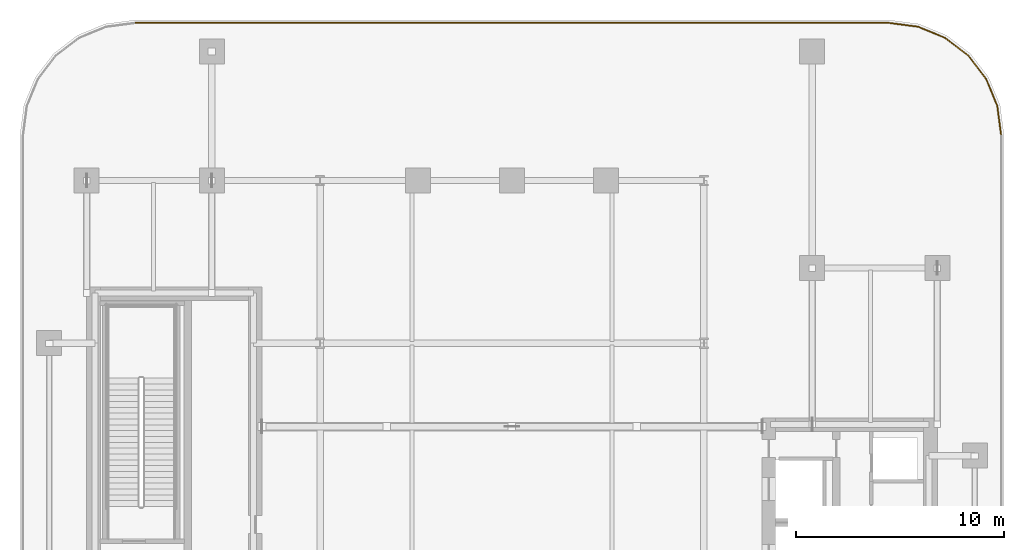
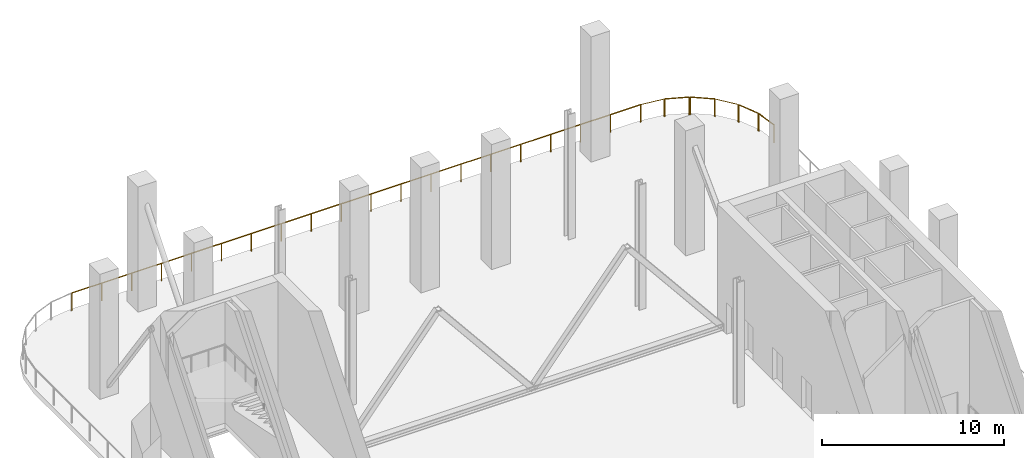
# One storey, part 13 of 13: 7 railings.
"""IFC4 building model written with IfcOpenShell, lengths in metres."""

from ifc_helpers import new_model, si_unit, direction, frame, origin, origin_2d, place, context, subcontext, project, spatial, circle, extrude, material, type_object, element, save


model = new_model("IFC4")

# Units and contexts
model_context = context("Model", 3, precision=1e-05, world=origin(), true_north=direction((0.0, 1.0)))
body_context = subcontext(model_context, "Body", "Model", "MODEL_VIEW")
ifc_project = project(units=[si_unit("LENGTHUNIT", "METRE"), si_unit("AREAUNIT", "SQUARE_METRE"), si_unit("VOLUMEUNIT", "CUBIC_METRE"), si_unit("PLANEANGLEUNIT", "RADIAN"), si_unit("MASSUNIT", "GRAM", prefix="KILO")], contexts=[model_context])

# Site, building, storey
site_placement = place(None, origin())
site = spatial("IfcSite", under=ifc_project, at=site_placement, CompositionType="ELEMENT")
building_placement = place(site_placement, origin())
building = spatial("IfcBuilding", under=site, at=building_placement, Name="Khairoan Windgate Tower", CompositionType="ELEMENT")
storey_placement = place(building_placement, frame((0.0, 0.0, 152.0)))
storey = spatial("IfcBuildingStorey", under=building, at=storey_placement, Name="L35", CompositionType="ELEMENT", Elevation=152.0)

# Railings
ifc_material = material(Name="Anodised Bronze Aluminium 6063-T6", Category="aluminium")
railing_type = type_object("IfcRailingType", Name="Aerodynamic Bronze-and-Glass Balustrade BAL-1200", PredefinedType="BALUSTRADE", material=ifc_material)
railing_1_placement = place(storey_placement, frame((-18.06591796875, 26.159912109375, 0.0)))
element("IfcRailing", 1, at=railing_1_placement, inside=storey, type_object=railing_type, Name="L35 Wind-Slot Portal Perimeter Balustrade 15", PredefinedType="BALUSTRADE", context=body_context, shape_type="SweptSolid", body=[
    extrude(circle(Radius=0.02392578125, at=origin_2d()), frame((0.0, 0.0, 1.17578125), z_axis=(1.0, 0.0, 0.0), x_axis=(0.0, 1.0, 0.0)), (0.0, 0.0, 1.0), 36.1318359375),
    extrude(circle(Radius=0.02099609375, at=origin_2d()), origin(), (0.0, 0.0, 1.0), 1.15185546875),
    extrude(circle(Radius=0.02099609375, at=origin_2d()), frame((1.901611328125, 0.0, 0.0)), (0.0, 0.0, 1.0), 1.15185546875),
    extrude(circle(Radius=0.02099609375, at=origin_2d()), frame((3.803466796875, 0.0, 0.0)), (0.0, 0.0, 1.0), 1.15185546875),
    extrude(circle(Radius=0.02099609375, at=origin_2d()), frame((5.705078125, 0.0, 0.0)), (0.0, 0.0, 1.0), 1.15185546875),
    extrude(circle(Radius=0.02099609375, at=origin_2d()), frame((7.606689453125, 0.0, 0.0)), (0.0, 0.0, 1.0), 1.15185546875),
    extrude(circle(Radius=0.02099609375, at=origin_2d()), frame((9.50830078125, 0.0, 0.0)), (0.0, 0.0, 1.0), 1.15185546875),
    extrude(circle(Radius=0.02099609375, at=origin_2d()), frame((11.41015625, 0.0, 0.0)), (0.0, 0.0, 1.0), 1.15185546875),
    extrude(circle(Radius=0.02099609375, at=origin_2d()), frame((13.311767578125, 0.0, 0.0)), (0.0, 0.0, 1.0), 1.15185546875),
    extrude(circle(Radius=0.02099609375, at=origin_2d()), frame((15.21337890625, 0.0, 0.0)), (0.0, 0.0, 1.0), 1.15185546875),
    extrude(circle(Radius=0.02099609375, at=origin_2d()), frame((17.114990234375, 0.0, 0.0)), (0.0, 0.0, 1.0), 1.15185546875),
    extrude(circle(Radius=0.02099609375, at=origin_2d()), frame((19.016845703125, 0.0, 0.0)), (0.0, 0.0, 1.0), 1.15185546875),
    extrude(circle(Radius=0.02099609375, at=origin_2d()), frame((20.91845703125, 0.0, 0.0)), (0.0, 0.0, 1.0), 1.15185546875),
    extrude(circle(Radius=0.02099609375, at=origin_2d()), frame((22.820068359375, 0.0, 0.0)), (0.0, 0.0, 1.0), 1.15185546875),
    extrude(circle(Radius=0.02099609375, at=origin_2d()), frame((24.7216796875, 0.0, 0.0)), (0.0, 0.0, 1.0), 1.15185546875),
    extrude(circle(Radius=0.02099609375, at=origin_2d()), frame((26.62353515625, 0.0, 0.0)), (0.0, 0.0, 1.0), 1.15185546875),
    extrude(circle(Radius=0.02099609375, at=origin_2d()), frame((28.525146484375, 0.0, 0.0)), (0.0, 0.0, 1.0), 1.15185546875),
    extrude(circle(Radius=0.02099609375, at=origin_2d()), frame((30.4267578125, 0.0, 0.0)), (0.0, 0.0, 1.0), 1.15185546875),
    extrude(circle(Radius=0.02099609375, at=origin_2d()), frame((32.328369140625, 0.0, 0.0)), (0.0, 0.0, 1.0), 1.15185546875),
    extrude(circle(Radius=0.02099609375, at=origin_2d()), frame((34.230224609375, 0.0, 0.0)), (0.0, 0.0, 1.0), 1.15185546875),
    extrude(circle(Radius=0.02099609375, at=origin_2d()), frame((36.1318359375, 0.0, 0.0)), (0.0, 0.0, 1.0), 1.15185546875),
])
railing_2_placement = place(storey_placement, frame((18.115478515625, 26.15673828125, 0.0)))
element("IfcRailing", 2, at=railing_2_placement, inside=storey, type_object=railing_type, Name="L35 Wind-Slot Portal Perimeter Balustrade 16", PredefinedType="BALUSTRADE", context=body_context, shape_type="SweptSolid", body=[
    extrude(circle(Radius=0.02392578125, at=origin_2d()), frame((0.0, 0.0, 1.17578125), z_axis=(0.991449400613, -0.130491708638, 0.0), x_axis=(0.130491708638, 0.991449400613, 0.0)), (0.0, 0.0, 1.0), 1.3583984375),
    extrude(circle(Radius=0.02099609375, at=origin_2d()), origin(), (0.0, 0.0, 1.0), 1.15185546875),
    extrude(circle(Radius=0.02099609375, at=origin_2d()), frame((1.3466796875, -0.17724609375, 0.0)), (0.0, 0.0, 1.0), 1.15185546875),
])
railing_3_placement = place(storey_placement, frame((19.510009765625, 25.966552734375, 0.0)))
element("IfcRailing", 3, at=railing_3_placement, inside=storey, type_object=railing_type, Name="L35 Wind-Slot Portal Perimeter Balustrade 17", PredefinedType="BALUSTRADE", context=body_context, shape_type="SweptSolid", body=[
    extrude(circle(Radius=0.02392578125, at=origin_2d()), frame((0.0, 0.0, 1.17578125), z_axis=(0.923915376249, -0.382596886462, 0.0), x_axis=(0.382596886462, 0.923915376249, 0.0)), (0.0, 0.0, 1.0), 1.348876953125),
    extrude(circle(Radius=0.02099609375, at=origin_2d()), origin(), (0.0, 0.0, 1.0), 1.15185546875),
    extrude(circle(Radius=0.02099609375, at=origin_2d()), frame((1.246337890625, -0.51611328125, 0.0)), (0.0, 0.0, 1.0), 1.15185546875),
])
railing_4_placement = place(storey_placement, frame((20.79931640625, 25.425537109375, 0.0)))
element("IfcRailing", 4, at=railing_4_placement, inside=storey, type_object=railing_type, Name="L35 Wind-Slot Portal Perimeter Balustrade 18", PredefinedType="BALUSTRADE", context=body_context, shape_type="SweptSolid", body=[
    extrude(circle(Radius=0.02392578125, at=origin_2d()), frame((0.0, 0.0, 1.17578125), z_axis=(0.793370316216, -0.608739304914, 0.0), x_axis=(0.608739304914, 0.793370316216, 0.0)), (0.0, 0.0, 1.0), 1.348876953125),
    extrude(circle(Radius=0.02099609375, at=origin_2d()), origin(), (0.0, 0.0, 1.0), 1.15185546875),
    extrude(circle(Radius=0.02099609375, at=origin_2d()), frame((1.070068359375, -0.821044921875, 0.0)), (0.0, 0.0, 1.0), 1.15185546875),
])
railing_5_placement = place(storey_placement, frame((21.904541015625, 24.569580078125, 0.0)))
element("IfcRailing", 5, at=railing_5_placement, inside=storey, type_object=railing_type, Name="L35 Wind-Slot Portal Perimeter Balustrade 19", PredefinedType="BALUSTRADE", context=body_context, shape_type="SweptSolid", body=[
    extrude(circle(Radius=0.02392578125, at=origin_2d()), frame((0.0, 0.0, 1.17578125), z_axis=(0.608651893578, -0.793437377771, 0.0), x_axis=(0.793437377771, 0.608651893578, 0.0)), (0.0, 0.0, 1.0), 1.348876953125),
    extrude(circle(Radius=0.02099609375, at=origin_2d()), origin(), (0.0, 0.0, 1.0), 1.15185546875),
    extrude(circle(Radius=0.02099609375, at=origin_2d()), frame((0.821044921875, -1.0703125, 0.0)), (0.0, 0.0, 1.0), 1.15185546875),
])
railing_6_placement = place(storey_placement, frame((22.75048828125, 23.456298828125, 0.0)))
element("IfcRailing", 6, at=railing_6_placement, inside=storey, type_object=railing_type, Name="L35 Wind-Slot Portal Perimeter Balustrade 20", PredefinedType="BALUSTRADE", context=body_context, shape_type="SweptSolid", body=[
    extrude(circle(Radius=0.02392578125, at=origin_2d()), frame((0.0, 0.0, 1.17578125), z_axis=(0.382660871212, -0.923888877324, 0.0), x_axis=(0.923888877324, 0.382660871212, 0.0)), (0.0, 0.0, 1.0), 1.3486328125),
    extrude(circle(Radius=0.02099609375, at=origin_2d()), origin(), (0.0, 0.0, 1.0), 1.15185546875),
    extrude(circle(Radius=0.02099609375, at=origin_2d()), frame((0.51611328125, -1.24609375, 0.0)), (0.0, 0.0, 1.0), 1.15185546875),
])
railing_7_placement = place(storey_placement, frame((23.279541015625, 22.162109375, 0.0)))
element("IfcRailing", 7, at=railing_7_placement, inside=storey, type_object=railing_type, Name="L35 Wind-Slot Portal Perimeter Balustrade 21", PredefinedType="BALUSTRADE", context=body_context, shape_type="SweptSolid", body=[
    extrude(circle(Radius=0.02392578125, at=origin_2d()), frame((0.0, 0.0, 1.17578125), z_axis=(0.130514966859, -0.991446339156, 0.0), x_axis=(0.991446339156, 0.130514966859, 0.0)), (0.0, 0.0, 1.0), 1.358154296875),
    extrude(circle(Radius=0.02099609375, at=origin_2d()), origin(), (0.0, 0.0, 1.0), 1.15185546875),
    extrude(circle(Radius=0.02099609375, at=origin_2d()), frame((0.17724609375, -1.346435546875, 0.0)), (0.0, 0.0, 1.0), 1.15185546875),
])

save(model, "model.ifc")
